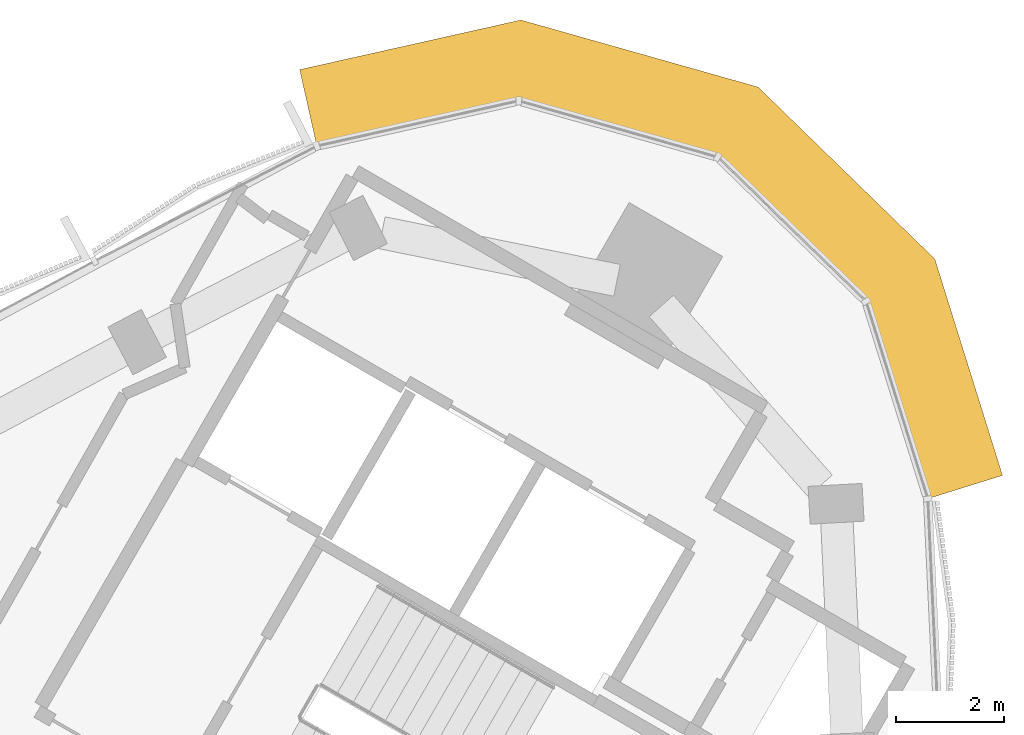
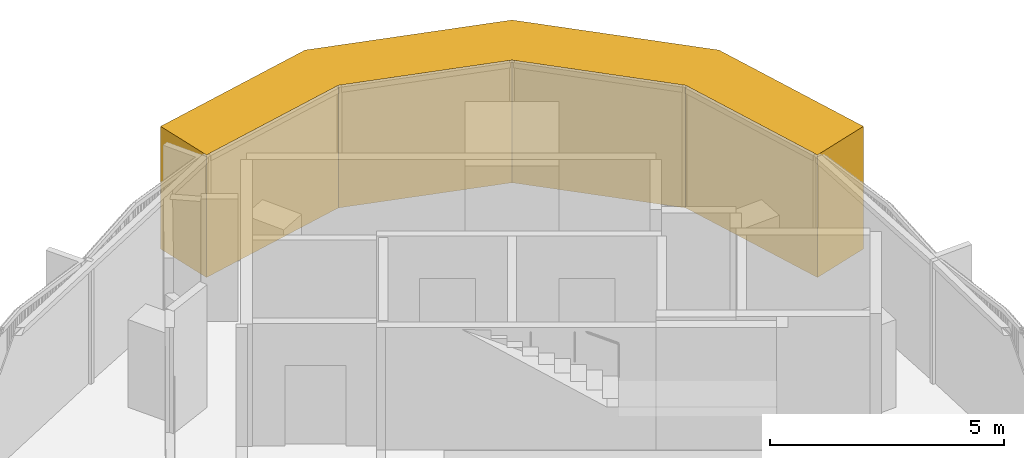
# One storey, part 13 of 13: 1 covering.
"""IFC4 building model written with IfcOpenShell, lengths in metres."""

import ifcopenshell
import ifcopenshell.guid

model = None  # the IFC model being written
_history = None  # IfcOwnerHistory: only IFC2X3 demands one
_inside = {}  # id of a spatial element -> (the spatial element, [elements in it])
_under = {}  # id of a project, library or spatial element -> (it, [spatial elements below it])
_declared = {}  # id of a project -> (the project, [libraries it declares])
_typed = {}  # id of a type object -> (the type object, [elements of that type])
_made_of = {}  # id of a material, layer set ... -> (it, [elements and type objects made of it])


def new_model(schema):
    """Start an empty IFC model of exactly this schema.

    Asked for "IFC4X3", IfcOpenShell would pick the latest addendum, in which some entities
    have other attributes; the version numbers below select the first issue.
    IFC2X3 requires an IfcOwnerHistory on every rooted entity: one is made here for all.
    """
    global model, _history
    if schema == "IFC4X3":
        model = ifcopenshell.file(schema_version=(4, 3, 0, 0))
    else:
        model = ifcopenshell.file(schema=schema)
    _inside.clear()
    _under.clear()
    _declared.clear()
    _typed.clear()
    _made_of.clear()
    _history = None
    if model.schema == "IFC2X3":
        org = make("IfcOrganization", Name="unknown")
        user = make(
            "IfcPersonAndOrganization",
            ThePerson=make("IfcPerson", FamilyName="unknown"),
            TheOrganization=org,
        )
        app = make(
            "IfcApplication",
            ApplicationDeveloper=org,
            Version="unknown",
            ApplicationFullName="unknown",
            ApplicationIdentifier="unknown",
        )
        _history = make(
            "IfcOwnerHistory",
            OwningUser=user,
            OwningApplication=app,
            ChangeAction="ADDED",
            CreationDate=0,
        )
    return model


def make(cls, **values):
    """One entity of the class cls with the attributes given. An attribute that is None is left unset."""
    return model.create_entity(
        cls, **{name: value for name, value in values.items() if value is not None}
    )


def rooted(cls, **values):
    """An entity with a GlobalId (a new one), such as an element, a storey or a relation."""
    return make(cls, GlobalId=ifcopenshell.guid.new(), OwnerHistory=_history, **values)


def si_unit(unit_type, name, prefix=None):
    """IfcSIUnit, for example si_unit("LENGTHUNIT", "METRE", prefix="MILLI")."""
    return make("IfcSIUnit", UnitType=unit_type, Prefix=prefix, Name=name)


def assignment(units):
    """IfcUnitAssignment: the units of a project."""
    return None if units is None else make("IfcUnitAssignment", Units=units)


def point(xyz):
    """IfcCartesianPoint."""
    return None if xyz is None else make("IfcCartesianPoint", Coordinates=xyz)


def direction(xyz):
    """IfcDirection."""
    return None if xyz is None else make("IfcDirection", DirectionRatios=xyz)


def frame(location, z_axis=None, x_axis=None):
    """IfcAxis2Placement3D, a coordinate frame: its origin and axes. An axis left out is left unset."""
    return make(
        "IfcAxis2Placement3D",
        Location=point(location),
        Axis=direction(z_axis),
        RefDirection=direction(x_axis),
    )


def origin():
    """The frame at (0, 0, 0) with its axes left unset."""
    return frame((0.0, 0.0, 0.0))


def place(relative_to, where):
    """IfcLocalPlacement: puts the frame where relative to a parent placement (None: the world)."""
    return make(
        "IfcLocalPlacement", PlacementRelTo=relative_to, RelativePlacement=where
    )


def context(
    kind, dimensions, precision=None, world=None, true_north=None, identifier=None
):
    """IfcGeometricRepresentationContext, for example the 3D "Model" context."""
    return make(
        "IfcGeometricRepresentationContext",
        ContextIdentifier=identifier,
        ContextType=kind,
        CoordinateSpaceDimension=dimensions,
        Precision=precision,
        WorldCoordinateSystem=world,
        TrueNorth=true_north,
    )


def subcontext(parent, identifier, kind, view, scale=None):
    """IfcGeometricRepresentationSubContext, for example "Body" below "Model"."""
    return make(
        "IfcGeometricRepresentationSubContext",
        ContextIdentifier=identifier,
        ContextType=kind,
        ParentContext=parent,
        TargetScale=scale,
        TargetView=view,
    )


def project(units=None, contexts=None):
    """IfcProject with its units and contexts."""
    return rooted(
        "IfcProject",
        Name="project",
        RepresentationContexts=contexts,
        UnitsInContext=assignment(units),
    )


def spatial(cls, under=None, at=None, **own):
    """A site, building, storey or space (cls), placed at a placement, below another one or the project."""
    s = rooted(cls, ObjectPlacement=at, **own)
    if under is not None:
        _under.setdefault(under.id(), (under, []))[1].append(s)
    return s


def polyline(points):
    """IfcPolyline through the points."""
    return make("IfcPolyline", Points=[point(p) for p in points])


def outline(outer, holes=None, kind="AREA"):
    """IfcArbitraryClosedProfileDef: a profile drawn as a closed curve; with holes, ...WithVoids."""
    if holes is None:
        return make("IfcArbitraryClosedProfileDef", ProfileType=kind, OuterCurve=outer)
    return make(
        "IfcArbitraryProfileDefWithVoids",
        ProfileType=kind,
        OuterCurve=outer,
        InnerCurves=holes,
    )


def extrude(swept, where, along, depth):
    """IfcExtrudedAreaSolid: the profile swept, set in the frame where, extruded along a direction by depth."""
    return make(
        "IfcExtrudedAreaSolid",
        SweptArea=swept,
        Position=where,
        ExtrudedDirection=direction(along),
        Depth=depth,
    )


def shape(context_of_items, identifier, shape_type, items):
    """IfcShapeRepresentation: the items that make up one representation, for example the "Body"."""
    return make(
        "IfcShapeRepresentation",
        ContextOfItems=context_of_items,
        RepresentationIdentifier=identifier,
        RepresentationType=shape_type,
        Items=items,
    )


def material(Name=None, Category=None):
    """IfcMaterial."""
    return make("IfcMaterial", Name=Name, Category=Category)


def layer(
    of_material, thickness, ventilated=None, Name=None, Category=None, Priority=None
):
    """IfcMaterialLayer: one layer of a wall or slab, of a material (None: an air gap)."""
    return make(
        "IfcMaterialLayer",
        Material=of_material,
        LayerThickness=thickness,
        IsVentilated=ventilated,
        Name=Name,
        Category=Category,
        Priority=Priority,
    )


def layer_set(layers, Name=None):
    """IfcMaterialLayerSet."""
    return make("IfcMaterialLayerSet", MaterialLayers=layers, LayerSetName=Name)


def made_of(thing, what):
    """Note that an element or type object is made of a material, layer set ...; save() writes the relation."""
    if what is not None:
        _made_of.setdefault(what.id(), (what, []))[1].append(thing)
    return thing


def type_object(cls, material=None, **own):
    """A type object (cls), such as IfcWallType, which elements share."""
    return made_of(rooted(cls, **own), material)


def element(
    cls,
    number,
    at=None,
    inside=None,
    cuts=None,
    type_object=None,
    material=None,
    context=None,
    identifier="Body",
    shape_type=None,
    held_by="IfcProductDefinitionShape",
    body=None,
    shapes=None,
    **own,
):
    """One element of the class cls, such as IfcWall. Its Tag is "e" and its number.

    at: its placement. inside: the storey or other place that contains it. cuts: it is an
    opening in that element (IfcRelVoidsElement). A single representation is given by context,
    identifier, shape_type and body (its items); several are given by shapes. held_by: the class
    of the entity that holds the representations. save() writes the other relations.
    """
    e = rooted(cls, Tag="e%d" % number, ObjectPlacement=at, **own)
    if body is not None:
        shapes = [shape(context, identifier, shape_type, body)]
    if shapes is not None:
        e.Representation = make(held_by, Representations=shapes)
    if inside is not None:
        _inside.setdefault(inside.id(), (inside, []))[1].append(e)
    if cuts is not None:
        rooted(
            "IfcRelVoidsElement", RelatingBuildingElement=cuts, RelatedOpeningElement=e
        )
    if type_object is not None:
        _typed.setdefault(type_object.id(), (type_object, []))[1].append(e)
    return made_of(e, material)


def aggregate(whole, parts):
    """IfcRelAggregates: a whole, such as a stair, and the parts it consists of."""
    return rooted("IfcRelAggregates", RelatingObject=whole, RelatedObjects=parts)


def save(model, path):
    """Write the relations noted so far, then the file.

    IfcRelAggregates (storeys below a building ...), IfcRelContainedInSpatialStructure (elements
    in a storey), IfcRelDefinesByType, IfcRelAssociatesMaterial and IfcRelDeclares: one each for
    every whole, place, type object, material and project.
    """
    for whole, parts in _under.values():
        aggregate(whole, parts)
    for where, things in _inside.values():
        rooted(
            "IfcRelContainedInSpatialStructure",
            RelatedElements=things,
            RelatingStructure=where,
        )
    for kind, things in _typed.values():
        rooted("IfcRelDefinesByType", RelatedObjects=things, RelatingType=kind)
    for what, things in _made_of.values():
        rooted("IfcRelAssociatesMaterial", RelatedObjects=things, RelatingMaterial=what)
    for by, libraries in _declared.values():
        rooted("IfcRelDeclares", RelatingContext=by, RelatedDefinitions=libraries)
    model.write(path)


model = new_model("IFC4")

# Units and contexts
model_context = context("Model", 3, precision=1e-05, world=origin(), true_north=direction((0.0, 1.0)))
body_context = subcontext(model_context, "Body", "Model", "MODEL_VIEW")
ifc_project = project(units=[si_unit("LENGTHUNIT", "METRE"), si_unit("AREAUNIT", "SQUARE_METRE"), si_unit("VOLUMEUNIT", "CUBIC_METRE"), si_unit("PLANEANGLEUNIT", "RADIAN"), si_unit("MASSUNIT", "GRAM", prefix="KILO")], contexts=[model_context])

# Site, building, storey
site_placement = place(None, origin())
site = spatial("IfcSite", under=ifc_project, at=site_placement, CompositionType="ELEMENT")
building_placement = place(site_placement, origin())
building = spatial("IfcBuilding", under=site, at=building_placement, Name="Tamra Quay Hotel Tower", CompositionType="ELEMENT")
storey_placement = place(building_placement, frame((0.0, 0.0, 298.199951171875)))
storey = spatial("IfcBuildingStorey", under=building, at=storey_placement, Name="L75", CompositionType="ELEMENT", Elevation=298.199951171875)

# Covering
ifc_material = material(Name="Precast concrete M60 terracotta-coloured", Category="masonry")
ifc_layer = layer(ifc_material, 1.449951171875)
ifc_layer_set = layer_set([ifc_layer], Name="CORNER PIER PANEL")
covering_type = type_object("IfcCoveringType", Name="CORNER PIER PANEL", PredefinedType="CLADDING", material=ifc_layer_set)
covering_placement = place(storey_placement, origin())
element("IfcCovering", 1, at=covering_placement, inside=storey, type_object=covering_type, Name="Corner pier L75.east", PredefinedType="CLADDING", context=body_context, shape_type="SweptSolid", body=[
    extrude(outline(polyline([(16.89990234375, 16.210205078125), (18.283935546875, 16.642822265625), (17.031494140625, 20.649169921875), (13.759521484375, 23.832275390625), (9.366943359375, 25.07421875), (5.271240234375, 24.15576171875), (5.58837890625, 22.740966796875), (9.325927734375, 23.5791015625), (13.01171875, 22.536865234375), (15.757080078125, 19.865966796875), (16.89990234375, 16.210205078125)])), origin(), (0.0, 0.0, 1.0), 3.199951171875),
])

save(model, "model.ifc")
